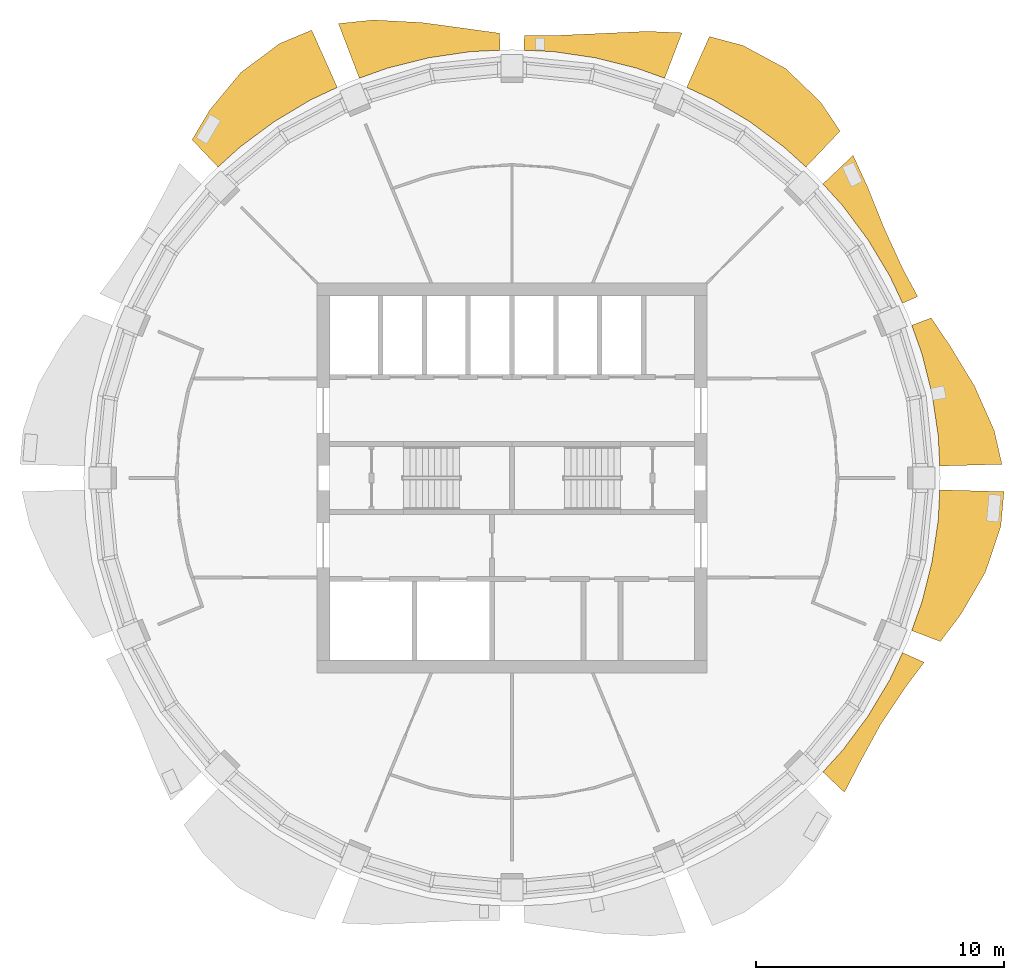
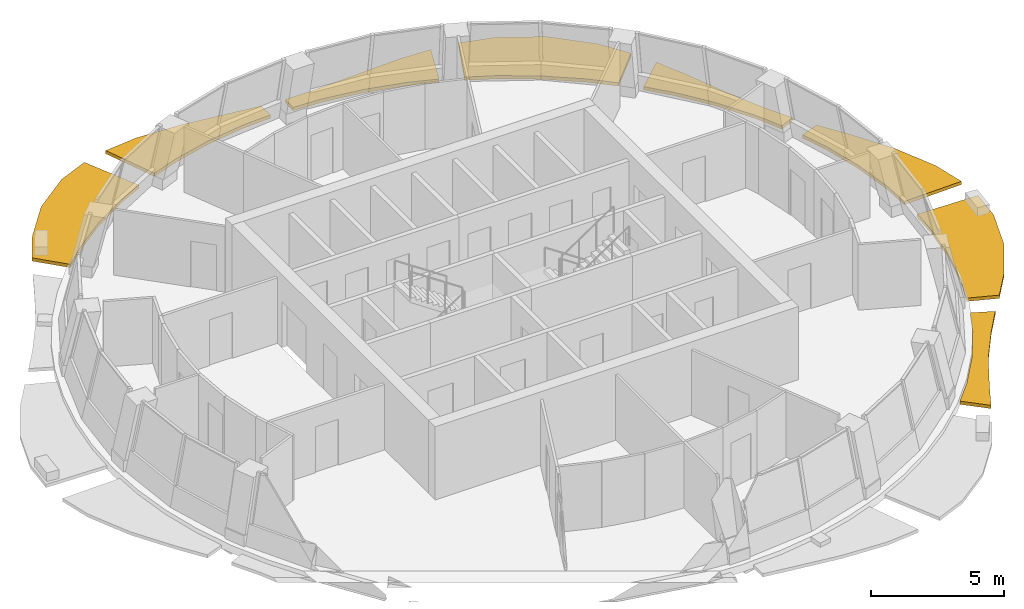
# One storey, part 10 of 11: 8 shading devices.
"""IFC4 building model written with IfcOpenShell, lengths in metres."""

from ifc_helpers import new_model, si_unit, direction, frame, origin, place, context, subcontext, project, spatial, polyline, outline, extrude, material, type_object, element, save


model = new_model("IFC4")

# Units and contexts
model_context = context("Model", 3, precision=1e-05, world=origin(), true_north=direction((0.0, 1.0)))
body_context = subcontext(model_context, "Body", "Model", "MODEL_VIEW")
ifc_project = project(units=[si_unit("LENGTHUNIT", "METRE"), si_unit("AREAUNIT", "SQUARE_METRE"), si_unit("VOLUMEUNIT", "CUBIC_METRE"), si_unit("PLANEANGLEUNIT", "RADIAN"), si_unit("MASSUNIT", "GRAM", prefix="KILO")], contexts=[model_context])

# Site, building, storey
site_placement = place(None, origin())
site = spatial("IfcSite", under=ifc_project, at=site_placement, CompositionType="ELEMENT")
building_placement = place(site_placement, origin())
building = spatial("IfcBuilding", under=site, at=building_placement, Name="Polderwave Tower", CompositionType="ELEMENT")
storey_placement = place(building_placement, frame((0.0, 0.0, 204.39990234375)))
storey = spatial("IfcBuildingStorey", under=building, at=storey_placement, Name="L55", CompositionType="ELEMENT", Elevation=204.39990234375)

# Shading devices
ifc_material = material(Name="Terracotta", Category="masonry")
shading_device_type = type_object("IfcShadingDeviceType", Name="Terracotta sunshade band", PredefinedType="USERDEFINED", material=ifc_material)
shading_device_1_placement = place(storey_placement, frame((0.0, 0.0, -0.349853515625)))
element("IfcShadingDevice", 1, at=shading_device_1_placement, inside=storey, type_object=shading_device_type, Name="Sunshade band L55 1", ObjectType="SUNSHADE", PredefinedType="USERDEFINED", context=body_context, shape_type="SweptSolid", body=[
    extrude(outline(polyline([(17.2763671875, 0.482177734375), (17.216796875, 1.69580078125), (16.967529296875, 3.375), (16.55517578125, 5.02197265625), (16.145751953125, 6.166015625), (16.92919921875, 6.465087890625), (17.67529296875, 5.36181640625), (18.678955078125, 3.715576171875), (19.475830078125, 1.918212890625), (19.79052734375, 0.55224609375), (17.2763671875, 0.482177734375)])), origin(), (0.0, 0.0, 1.0), 0.14990234375),
])
shading_device_2_placement = place(storey_placement, frame((0.0, 0.0, -0.349853515625)))
element("IfcShadingDevice", 2, at=shading_device_2_placement, inside=storey, type_object=shading_device_type, Name="Sunshade band L55 2", ObjectType="SUNSHADE", PredefinedType="USERDEFINED", context=body_context, shape_type="SweptSolid", body=[
    extrude(outline(polyline([(15.77685546875, 7.056640625), (15.257080078125, 8.1552734375), (14.384521484375, 9.611328125), (13.373046875, 10.97509765625), (12.55712890625, 11.875244140625), (13.777587890625, 13.029541015625), (14.350830078125, 11.77734375), (15.0478515625, 10.0546875), (15.78759765625, 8.438720703125), (16.386474609375, 7.32958984375), (15.77685546875, 7.056640625)])), origin(), (0.0, 0.0, 1.0), 0.14990234375),
])
shading_device_3_placement = place(storey_placement, frame((0.0, 0.0, -0.349853515625)))
element("IfcShadingDevice", 3, at=shading_device_3_placement, inside=storey, type_object=shading_device_type, Name="Sunshade band L55 3", ObjectType="SUNSHADE", PredefinedType="USERDEFINED", context=body_context, shape_type="SweptSolid", body=[
    extrude(outline(polyline([(11.875244140625, 12.55712890625), (10.97509765625, 13.373046875), (9.611328125, 14.384521484375), (8.1552734375, 15.257080078125), (7.056640625, 15.77685546875), (7.974853515625, 17.8291015625), (9.335205078125, 17.46484375), (11.050048828125, 16.53759765625), (12.4609375, 15.18359375), (13.25146484375, 14.01220703125), (11.875244140625, 12.55712890625)])), origin(), (0.0, 0.0, 1.0), 0.14990234375),
])
shading_device_4_placement = place(storey_placement, frame((0.0, 0.0, -0.349853515625)))
element("IfcShadingDevice", 4, at=shading_device_4_placement, inside=storey, type_object=shading_device_type, Name="Sunshade band L55 4", ObjectType="SUNSHADE", PredefinedType="USERDEFINED", context=body_context, shape_type="SweptSolid", body=[
    extrude(outline(polyline([(6.166015625, 16.145751953125), (5.02197265625, 16.55517578125), (3.375, 16.967529296875), (1.69580078125, 17.216796875), (0.482177734375, 17.2763671875), (0.498779296875, 17.87939453125), (1.76025390625, 17.871337890625), (3.57080078125, 17.951171875), (5.4716796875, 18.037353515625), (6.8662109375, 17.97900390625), (6.166015625, 16.145751953125)])), origin(), (0.0, 0.0, 1.0), 0.14990234375),
])
shading_device_5_placement = place(storey_placement, frame((0.0, 0.0, -0.349853515625)))
element("IfcShadingDevice", 5, at=shading_device_5_placement, inside=storey, type_object=shading_device_type, Name="Sunshade band L55 5", ObjectType="SUNSHADE", PredefinedType="USERDEFINED", context=body_context, shape_type="SweptSolid", body=[
    extrude(outline(polyline([(-0.482177734375, 17.2763671875), (-1.69580078125, 17.216796875), (-3.375, 16.967529296875), (-5.02197265625, 16.55517578125), (-6.166015625, 16.145751953125), (-7.00830078125, 18.3515625), (-5.611083984375, 18.496826171875), (-3.658935546875, 18.394775390625), (-1.786865234375, 18.14208984375), (-0.501220703125, 17.960693359375), (-0.482177734375, 17.2763671875)])), origin(), (0.0, 0.0, 1.0), 0.14990234375),
])
shading_device_6_placement = place(storey_placement, frame((0.0, 0.0, -0.349853515625)))
element("IfcShadingDevice", 6, at=shading_device_6_placement, inside=storey, type_object=shading_device_type, Name="Sunshade band L55 6", ObjectType="SUNSHADE", PredefinedType="USERDEFINED", context=body_context, shape_type="SweptSolid", body=[
    extrude(outline(polyline([(-7.056640625, 15.77685546875), (-8.1552734375, 15.257080078125), (-9.611328125, 14.384521484375), (-10.97509765625, 13.373046875), (-11.875244140625, 12.55712890625), (-12.919921875, 13.66162109375), (-12.20263671875, 14.868896484375), (-10.94580078125, 16.381591796875), (-9.380126953125, 17.549072265625), (-8.090576171875, 18.088134765625), (-7.056640625, 15.77685546875)])), origin(), (0.0, 0.0, 1.0), 0.14990234375),
])
shading_device_7_placement = place(storey_placement, frame((0.0, 0.0, -0.349853515625)))
element("IfcShadingDevice", 7, at=shading_device_7_placement, inside=storey, type_object=shading_device_type, Name="Sunshade band L55 15", ObjectType="SUNSHADE", PredefinedType="USERDEFINED", context=body_context, shape_type="SweptSolid", body=[
    extrude(outline(polyline([(12.55712890625, -11.875244140625), (13.373046875, -10.97509765625), (14.384521484375, -9.611328125), (15.257080078125, -8.1552734375), (15.77685546875, -7.056640625), (16.6455078125, -7.4453125), (15.871826171875, -8.483642578125), (14.89208984375, -9.95068359375), (14.0361328125, -11.519287109375), (13.4267578125, -12.697998046875), (12.55712890625, -11.875244140625)])), origin(), (0.0, 0.0, 1.0), 0.14990234375),
])
shading_device_8_placement = place(storey_placement, frame((0.0, 0.0, -0.349853515625)))
element("IfcShadingDevice", 8, at=shading_device_8_placement, inside=storey, type_object=shading_device_type, Name="Sunshade band L55 16", ObjectType="SUNSHADE", PredefinedType="USERDEFINED", context=body_context, shape_type="SweptSolid", body=[
    extrude(outline(polyline([(16.145751953125, -6.166015625), (16.55517578125, -5.02197265625), (16.967529296875, -3.375), (17.216796875, -1.69580078125), (17.2763671875, -0.482177734375), (19.8720703125, -0.554443359375), (19.74658203125, -1.94482421875), (19.12255859375, -3.8037109375), (18.135009765625, -5.501220703125), (17.302001953125, -6.607666015625), (16.145751953125, -6.166015625)])), origin(), (0.0, 0.0, 1.0), 0.14990234375),
])

save(model, "model.ifc")
